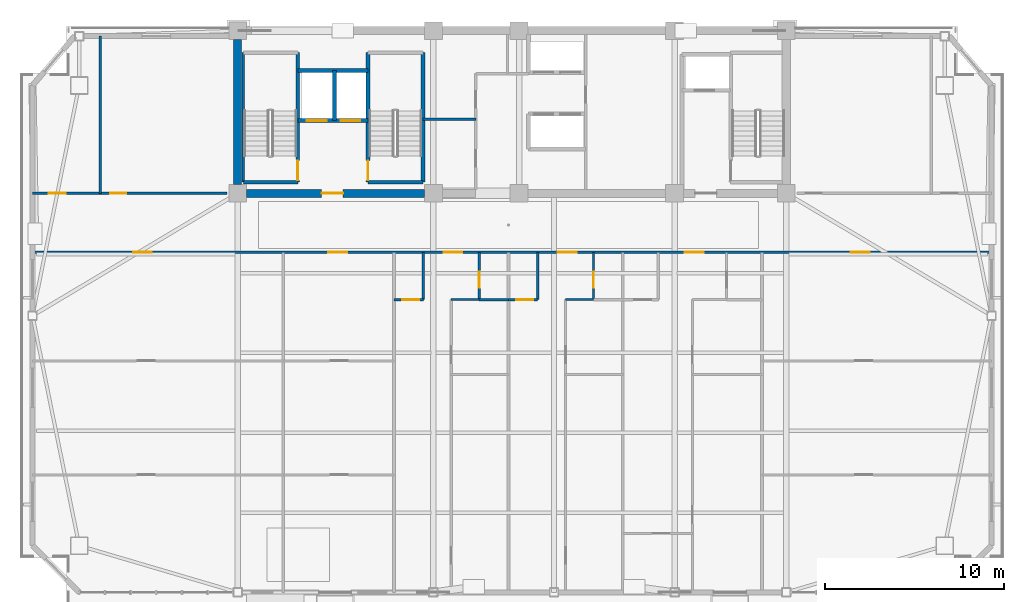
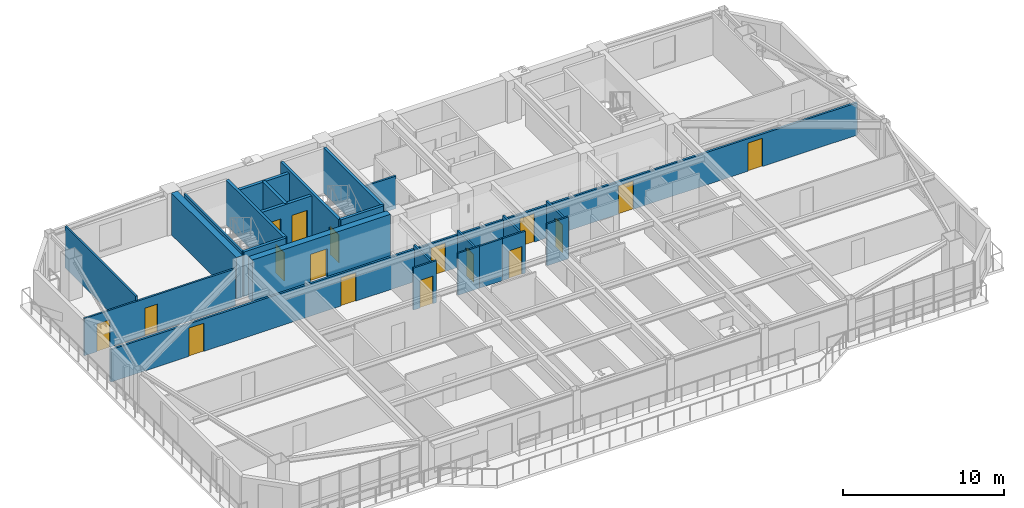
# One storey, part 9 of 17: 24 walls, 17 doors, 17 openings.
"""IFC4 building model written with IfcOpenShell, lengths in metres."""

from ifc_helpers import new_model, si_unit, direction, frame, frame_2d, origin, place, context, subcontext, project, spatial, rectangle, extrude, source, transform, mapped, material, layer, layer_set, type_object, element, fill, save


model = new_model("IFC4")

# Units and contexts
model_context = context("Model", 3, precision=1e-05, world=origin(), true_north=direction((0.0, 1.0)))
body_context = subcontext(model_context, "Body", "Model", "MODEL_VIEW")
ifc_project = project(units=[si_unit("LENGTHUNIT", "METRE"), si_unit("AREAUNIT", "SQUARE_METRE"), si_unit("VOLUMEUNIT", "CUBIC_METRE"), si_unit("PLANEANGLEUNIT", "RADIAN"), si_unit("MASSUNIT", "GRAM", prefix="KILO")], contexts=[model_context])

# Site, building, storey
site_placement = place(None, origin())
site = spatial("IfcSite", under=ifc_project, at=site_placement, CompositionType="ELEMENT")
building_placement = place(site_placement, origin())
building = spatial("IfcBuilding", under=site, at=building_placement, Name="Giltprow Tower", CompositionType="ELEMENT")
storey_placement = place(building_placement, frame((0.0, 0.0, 248.5)))
storey = spatial("IfcBuildingStorey", under=building, at=storey_placement, Name="L63", CompositionType="ELEMENT", Elevation=248.5)

# Wall, openings, doors
ifc_material_1 = material(Name="Gypsum stud partition", Category="gypsum")
ifc_layer_1 = layer(ifc_material_1, 0.14990234375, Name="Gypsum stud partition")
ifc_layer_set_1 = layer_set([ifc_layer_1], Name="Gypsum stud partition")
wall_type_1 = type_object("IfcWallType", Name="IW-CORR-150", PredefinedType="PARTITIONING", material=ifc_layer_set_1)
wall_1_placement = place(storey_placement, frame((8.364013671875, 34.14990234375, 0.0), z_axis=(0.0, 0.0, 1.0), x_axis=(1.0, 0.0, 0.0)))
wall_1 = element("IfcWall", 1, at=wall_1_placement, inside=storey, type_object=wall_type_1, Name="L63 Residence Gallery Corridor Wall", PredefinedType="PARTITIONING", context=body_context, shape_type="SweptSolid", body=[
    extrude(rectangle(XDim=53.673095703125, YDim=0.14990234375, at=frame_2d((26.83642578125, 0.0))), origin(), (0.0, 0.0, 1.0), 2.469970703125),
])
opening_1_placement = place(wall_1_placement, frame((5.626953125, 0.0, 0.0)))
opening_1 = element("IfcOpeningElement", 2, at=opening_1_placement, cuts=wall_1, Name="Opening ID31", PredefinedType="OPENING", context=body_context, shape_type="SweptSolid", body=[
    extrude(rectangle(XDim=1.050048828125, YDim=2.14990234375, at=frame_2d((0.52490234375, 1.074951171875))), frame((0.0, 0.0849609375, 0.0), z_axis=(0.0, -1.0, 0.0), x_axis=(1.0, 0.0, 0.0)), (0.0, 0.0, 1.0), 0.169921875),
])
opening_2_placement = place(wall_1_placement, frame((16.56103515625, 0.0, 0.0)))
opening_2 = element("IfcOpeningElement", 3, at=opening_2_placement, cuts=wall_1, Name="Opening ID31", PredefinedType="OPENING", context=body_context, shape_type="SweptSolid", body=[
    extrude(rectangle(XDim=1.050048828125, YDim=2.14990234375, at=frame_2d((0.52490234375, 1.074951171875))), frame((0.0, 0.0849609375, 0.0), z_axis=(0.0, -1.0, 0.0), x_axis=(1.0, 0.0, 0.0)), (0.0, 0.0, 1.0), 0.169921875),
])
opening_3_placement = place(wall_1_placement, frame((23.010986328125, 0.0, 0.0)))
opening_3 = element("IfcOpeningElement", 4, at=opening_3_placement, cuts=wall_1, Name="Opening ID31", PredefinedType="OPENING", context=body_context, shape_type="SweptSolid", body=[
    extrude(rectangle(XDim=1.050048828125, YDim=2.14990234375, at=frame_2d((0.52490234375, 1.074951171875))), frame((0.0, 0.0849609375, 0.0), z_axis=(0.0, -1.0, 0.0), x_axis=(1.0, 0.0, 0.0)), (0.0, 0.0, 1.0), 0.169921875),
])
opening_4_placement = place(wall_1_placement, frame((29.410888671875, 0.0, 0.0)))
opening_4 = element("IfcOpeningElement", 5, at=opening_4_placement, cuts=wall_1, Name="Opening ID31", PredefinedType="OPENING", context=body_context, shape_type="SweptSolid", body=[
    extrude(rectangle(XDim=1.050048828125, YDim=2.14990234375, at=frame_2d((0.52490234375, 1.074951171875))), frame((0.0, 0.0849609375, 0.0), z_axis=(0.0, -1.0, 0.0), x_axis=(1.0, 0.0, 0.0)), (0.0, 0.0, 1.0), 0.169921875),
])
opening_5_placement = place(wall_1_placement, frame((36.510986328125, 0.0, 0.0)))
opening_5 = element("IfcOpeningElement", 6, at=opening_5_placement, cuts=wall_1, Name="Opening ID31", PredefinedType="OPENING", context=body_context, shape_type="SweptSolid", body=[
    extrude(rectangle(XDim=1.050048828125, YDim=2.14990234375, at=frame_2d((0.52490234375, 1.074951171875))), frame((0.0, 0.0849609375, 0.0), z_axis=(0.0, -1.0, 0.0), x_axis=(1.0, 0.0, 0.0)), (0.0, 0.0, 1.0), 0.169921875),
])
opening_6_placement = place(wall_1_placement, frame((45.806884765625, 0.0, 0.0)))
opening_6 = element("IfcOpeningElement", 7, at=opening_6_placement, cuts=wall_1, Name="Opening ID31", PredefinedType="OPENING", context=body_context, shape_type="SweptSolid", body=[
    extrude(rectangle(XDim=1.050048828125, YDim=2.14990234375, at=frame_2d((0.52490234375, 1.074951171875))), frame((0.0, 0.0849609375, 0.0), z_axis=(0.0, -1.0, 0.0), x_axis=(1.0, 0.0, 0.0)), (0.0, 0.0, 1.0), 0.169921875),
])
ifc_material_2 = material(Name="Engineered timber", Category="wood")
door_type_1 = type_object("IfcDoorType", Name="DR-SUITE-1050", OperationType="SINGLE_SWING_LEFT", PredefinedType="DOOR", material=ifc_material_2)
shared_shape_1 = source(origin(), body_context, "Body", "SweptSolid", [
    extrude(rectangle(XDim=1.050048828125, YDim=2.14990234375, at=frame_2d((0.52490234375, 1.074951171875))), frame((0.0, 0.02490234375, 0.0), z_axis=(0.0, -1.0, 0.0), x_axis=(1.0, 0.0, 0.0)), (0.0, 0.0, 1.0), 0.050048828125),
])
door_1_placement = place(opening_1_placement, origin())
door_1 = element("IfcDoor", 8, at=door_1_placement, inside=storey, type_object=door_type_1, Name="L63 Residents Home Office 1 North Door", OperationType="SINGLE_SWING_LEFT", OverallHeight=2.14990234375, OverallWidth=1.050048828125, PredefinedType="DOOR", context=body_context, shape_type="MappedRepresentation", body=[
    mapped(shared_shape_1, transform((0.0, 0.0, 0.0), x_axis=(1.0, 0.0, 0.0), y_axis=(0.0, 1.0, 0.0), z_axis=(0.0, 0.0, 1.0), scale=1.0)),
])
fill(opening_1, door_1)
door_2_placement = place(opening_2_placement, origin())
door_2 = element("IfcDoor", 9, at=door_2_placement, inside=storey, type_object=door_type_1, Name="L63 Legal Study Office 2 North Door", OperationType="SINGLE_SWING_RIGHT", OverallHeight=2.14990234375, OverallWidth=1.050048828125, PredefinedType="DOOR", context=body_context, shape_type="MappedRepresentation", body=[
    mapped(shared_shape_1, transform((0.0, 0.0, 0.0), x_axis=(1.0, 0.0, 0.0), y_axis=(0.0, 1.0, 0.0), z_axis=(0.0, 0.0, 1.0), scale=1.0)),
])
fill(opening_2, door_2)
door_3_placement = place(opening_3_placement, origin())
door_3 = element("IfcDoor", 10, at=door_3_placement, inside=storey, type_object=door_type_1, Name="L63 Unit 1 Entrance Door", OperationType="SINGLE_SWING_LEFT", OverallHeight=2.14990234375, OverallWidth=1.050048828125, PredefinedType="DOOR", context=body_context, shape_type="MappedRepresentation", body=[
    mapped(shared_shape_1, transform((0.0, 0.0, 0.0), x_axis=(1.0, 0.0, 0.0), y_axis=(0.0, 1.0, 0.0), z_axis=(0.0, 0.0, 1.0), scale=1.0)),
])
fill(opening_3, door_3)
door_4_placement = place(opening_4_placement, origin())
door_4 = element("IfcDoor", 11, at=door_4_placement, inside=storey, type_object=door_type_1, Name="L63 Unit 2 Entrance Door", OperationType="SINGLE_SWING_RIGHT", OverallHeight=2.14990234375, OverallWidth=1.050048828125, PredefinedType="DOOR", context=body_context, shape_type="MappedRepresentation", body=[
    mapped(shared_shape_1, transform((0.0, 0.0, 0.0), x_axis=(1.0, 0.0, 0.0), y_axis=(0.0, 1.0, 0.0), z_axis=(0.0, 0.0, 1.0), scale=1.0)),
])
fill(opening_4, door_4)
door_5_placement = place(opening_5_placement, origin())
door_5 = element("IfcDoor", 12, at=door_5_placement, inside=storey, type_object=door_type_1, Name="L63 Unit 3 Entrance Door", OperationType="SINGLE_SWING_LEFT", OverallHeight=2.14990234375, OverallWidth=1.050048828125, PredefinedType="DOOR", context=body_context, shape_type="MappedRepresentation", body=[
    mapped(shared_shape_1, transform((0.0, 0.0, 0.0), x_axis=(1.0, 0.0, 0.0), y_axis=(0.0, 1.0, 0.0), z_axis=(0.0, 0.0, 1.0), scale=1.0)),
])
fill(opening_5, door_5)
door_6_placement = place(opening_6_placement, origin())
door_6 = element("IfcDoor", 13, at=door_6_placement, inside=storey, type_object=door_type_1, Name="L63 Portfolio Office 3 North Door", OperationType="SINGLE_SWING_LEFT", OverallHeight=2.14990234375, OverallWidth=1.050048828125, PredefinedType="DOOR", context=body_context, shape_type="MappedRepresentation", body=[
    mapped(shared_shape_1, transform((0.0, 0.0, 0.0), x_axis=(1.0, 0.0, 0.0), y_axis=(0.0, 1.0, 0.0), z_axis=(0.0, 0.0, 1.0), scale=1.0)),
])
fill(opening_6, door_6)

# Walls
ifc_layer_2 = layer(ifc_material_1, 0.1201171875, Name="Gypsum stud partition")
ifc_layer_set_2 = layer_set([ifc_layer_2], Name="Gypsum stud partition")
wall_type_2 = type_object("IfcWallType", Name="IW-ROOM-120", PredefinedType="PARTITIONING", material=ifc_layer_set_2)
for number, where, z_axis, x_axis, name in (
    (14, (31.800048828125, 31.5, 0.0), (0.0, 0.0, 1.0), (1.0, 0.0, 0.0), "L63 Unit 1 Bedroom North Wall"),
    (15, (38.199951171875, 31.5, 0.0), (0.0, 0.0, 1.0), (1.0, 0.0, 0.0), "L63 Unit 2 Bedroom North Wall"),
):
    element("IfcWall", number, at=place(storey_placement, frame(where, z_axis=z_axis, x_axis=x_axis)), inside=storey, type_object=wall_type_2, Name=name, PredefinedType="PARTITIONING", context=body_context, shape_type="SweptSolid", body=[
        extrude(rectangle(XDim=1.56005859375, YDim=0.1201171875, at=frame_2d((0.780029296875, 0.0))), origin(), (0.0, 0.0, 1.0), 3.18505859375),
    ])

# Wall, openings, doors
ifc_material_3 = material(Name="Concrete C40", Category="concrete")
ifc_layer_3 = layer(ifc_material_3, 0.219970703125, Name="Concrete C40")
ifc_layer_set_3 = layer_set([ifc_layer_3], Name="Concrete C40")
wall_type_3 = type_object("IfcWallType", Name="IW-SHAFT-220", PredefinedType="SOLIDWALL", material=ifc_layer_set_3)
wall_2_placement = place(storey_placement, frame((23.219970703125, 41.52001953125, 0.0), z_axis=(0.0, 0.0, 1.0), x_axis=(1.0, 0.0, 0.0)))
wall_2 = element("IfcWall", 16, at=wall_2_placement, inside=storey, type_object=wall_type_3, Name="L63 FFL1 and Service Lift Front Wall", PredefinedType="SOLIDWALL", context=body_context, shape_type="SweptSolid", body=[
    extrude(rectangle(XDim=3.919921875, YDim=0.219970703125, at=frame_2d((1.9599609375, 0.0))), origin(), (0.0, 0.0, 1.0), 3.18505859375),
])
opening_7_placement = place(wall_2_placement, frame((0.5, 0.0, 0.0)))
opening_7 = element("IfcOpeningElement", 17, at=opening_7_placement, cuts=wall_2, Name="Opening LD-11", PredefinedType="OPENING", context=body_context, shape_type="SweptSolid", body=[
    extrude(rectangle(XDim=1.10009765625, YDim=2.199951171875, at=frame_2d((0.550048828125, 1.10009765625))), frame((0.0, 0.119873046875, 0.0), z_axis=(0.0, -1.0, 0.0), x_axis=(1.0, 0.0, 0.0)), (0.0, 0.0, 1.0), 0.239990234375),
])
opening_8_placement = place(wall_2_placement, frame((2.39990234375, 0.0, 0.0)))
opening_8 = element("IfcOpeningElement", 18, at=opening_8_placement, cuts=wall_2, Name="Opening LD-11", PredefinedType="OPENING", context=body_context, shape_type="SweptSolid", body=[
    extrude(rectangle(XDim=1.10009765625, YDim=2.199951171875, at=frame_2d((0.550048828125, 1.10009765625))), frame((0.0, 0.119873046875, 0.0), z_axis=(0.0, -1.0, 0.0), x_axis=(1.0, 0.0, 0.0)), (0.0, 0.0, 1.0), 0.239990234375),
])
ifc_material_4 = material(Name="Stainless steel", Category="steel")
door_type_2 = type_object("IfcDoorType", Name="DR-LIFT-LD1100", OperationType="SLIDING_TO_LEFT", PredefinedType="DOOR", material=ifc_material_4)
shared_shape_2 = source(origin(), body_context, "Body", "SweptSolid", [
    extrude(rectangle(XDim=1.10009765625, YDim=2.199951171875, at=frame_2d((0.550048828125, 1.10009765625))), frame((0.0, 0.02490234375, 0.0), z_axis=(0.0, -1.0, 0.0), x_axis=(1.0, 0.0, 0.0)), (0.0, 0.0, 1.0), 0.050048828125),
])
door_7_placement = place(opening_7_placement, origin())
door_7 = element("IfcDoor", 19, at=door_7_placement, inside=storey, type_object=door_type_2, Name="L63 FFL1 Landing Door", OperationType="SLIDING_TO_LEFT", OverallHeight=2.199951171875, OverallWidth=1.10009765625, PredefinedType="DOOR", context=body_context, shape_type="MappedRepresentation", body=[
    mapped(shared_shape_2, transform((0.0, 0.0, 0.0), x_axis=(1.0, 0.0, 0.0), y_axis=(0.0, 1.0, 0.0), z_axis=(0.0, 0.0, 1.0), scale=1.0)),
])
fill(opening_7, door_7)
door_8_placement = place(opening_8_placement, origin())
door_8 = element("IfcDoor", 20, at=door_8_placement, inside=storey, type_object=door_type_2, Name="L63 SVL1 Landing Door", OperationType="SLIDING_TO_LEFT", OverallHeight=2.199951171875, OverallWidth=1.10009765625, PredefinedType="DOOR", context=body_context, shape_type="MappedRepresentation", body=[
    mapped(shared_shape_2, transform((0.0, 0.0, 0.0), x_axis=(1.0, 0.0, 0.0), y_axis=(0.0, 1.0, 0.0), z_axis=(0.0, 0.0, 1.0), scale=1.0)),
])
fill(opening_8, door_8)

# Walls
wall_3_placement = place(storey_placement, frame((25.260009765625, 41.52001953125, 0.0), z_axis=(0.0, 0.0, 1.0), x_axis=(0.0, 1.0, 0.0)))
element("IfcWall", 21, at=wall_3_placement, inside=storey, type_object=wall_type_3, Name="L63 FFL1-SVL1 Shaft Divider", PredefinedType="SOLIDWALL", context=body_context, shape_type="SweptSolid", body=[
    extrude(rectangle(XDim=2.800048828125, YDim=0.219970703125, at=frame_2d((1.39990234375, 0.0))), origin(), (0.0, 0.0, 1.0), 3.18505859375),
])
wall_4_placement = place(storey_placement, frame((23.219970703125, 44.320068359375, 0.0), z_axis=(0.0, 0.0, 1.0), x_axis=(1.0, 0.0, 0.0)))
element("IfcWall", 22, at=wall_4_placement, inside=storey, type_object=wall_type_3, Name="L63 FFL1-SVL1 Back Shaft Wall", PredefinedType="SOLIDWALL", context=body_context, shape_type="SweptSolid", body=[
    extrude(rectangle(XDim=3.919921875, YDim=0.219970703125, at=frame_2d((1.9599609375, 0.0))), origin(), (0.0, 0.0, 1.0), 3.18505859375),
])
ifc_material_5 = material(Name="Concrete C45", Category="concrete")
ifc_layer_4 = layer(ifc_material_5, 0.139892578125, Name="Concrete C45")
ifc_layer_set_4 = layer_set([ifc_layer_4], Name="Concrete C45")
wall_type_4 = type_object("IfcWallType", Name="IW-STAIR-140", PredefinedType="SOLIDWALL", material=ifc_layer_set_4)
wall_5_placement = place(storey_placement, frame((20.169921875, 38.070068359375, 0.0), z_axis=(0.0, 0.0, 1.0), x_axis=(0.0, 1.0, 0.0)))
element("IfcWall", 23, at=wall_5_placement, inside=storey, type_object=wall_type_4, Name="L63 Stair ST-1 West Bearing Wall", PredefinedType="SOLIDWALL", context=body_context, shape_type="SweptSolid", body=[
    extrude(rectangle(XDim=7.25, YDim=0.139892578125, at=frame_2d((3.625, 0.0))), origin(), (0.0, 0.0, 1.0), 3.39990234375),
])

# Wall, opening, door
ifc_layer_5 = layer(ifc_material_3, 0.199951171875, Name="Concrete C40")
ifc_layer_set_5 = layer_set([ifc_layer_5], Name="Concrete C40")
wall_type_5 = type_object("IfcWallType", Name="IW-STAIR-200", PredefinedType="SOLIDWALL", material=ifc_layer_set_5)
wall_6_placement = place(storey_placement, frame((23.219970703125, 38.070068359375, 0.0), z_axis=(0.0, 0.0, 1.0), x_axis=(0.0, 1.0, 0.0)))
wall_6 = element("IfcWall", 24, at=wall_6_placement, inside=storey, type_object=wall_type_5, Name="L63 Stair ST-1 East Bearing Wall", PredefinedType="SOLIDWALL", context=body_context, shape_type="SweptSolid", body=[
    extrude(rectangle(XDim=7.25, YDim=0.199951171875, at=frame_2d((3.625, 0.0))), origin(), (0.0, 0.0, 1.0), 3.39990234375),
])
opening_9_placement = place(wall_6_placement, frame((0.110107421875, 0.0, 0.0)))
opening_9 = element("IfcOpeningElement", 25, at=opening_9_placement, cuts=wall_6, Name="Opening ID33", PredefinedType="OPENING", context=body_context, shape_type="SweptSolid", body=[
    extrude(rectangle(XDim=1.10009765625, YDim=2.14990234375, at=frame_2d((0.550048828125, 1.074951171875))), frame((0.0, 0.10986328125, 0.0), z_axis=(0.0, -1.0, 0.0), x_axis=(1.0, 0.0, 0.0)), (0.0, 0.0, 1.0), 0.219970703125),
])
ifc_material_6 = material(Name="Steel fire leaf", Category="steel")
door_type_3 = type_object("IfcDoorType", Name="DR-STAIR-1100", OperationType="SINGLE_SWING_LEFT", PredefinedType="DOOR", material=ifc_material_6)
shared_shape_3 = source(origin(), body_context, "Body", "SweptSolid", [
    extrude(rectangle(XDim=1.10009765625, YDim=2.14990234375, at=frame_2d((0.550048828125, 1.074951171875))), frame((0.0, 0.02490234375, 0.0), z_axis=(0.0, -1.0, 0.0), x_axis=(1.0, 0.0, 0.0)), (0.0, 0.0, 1.0), 0.050048828125),
])
door_9_placement = place(opening_9_placement, origin())
door_9 = element("IfcDoor", 26, at=door_9_placement, inside=storey, type_object=door_type_3, Name="L63 Stair ST-1 Fire Door", OperationType="SINGLE_SWING_LEFT", OverallHeight=2.14990234375, OverallWidth=1.10009765625, PredefinedType="DOOR", context=body_context, shape_type="MappedRepresentation", body=[
    mapped(shared_shape_3, transform((0.0, 0.0, 0.0), x_axis=(1.0, 0.0, 0.0), y_axis=(0.0, 1.0, 0.0), z_axis=(0.0, 0.0, 1.0), scale=1.0)),
])
fill(opening_9, door_9)

# Wall
wall_7_placement = place(storey_placement, frame((20.169921875, 38.070068359375, 0.0), z_axis=(0.0, 0.0, 1.0), x_axis=(1.0, 0.0, 0.0)))
element("IfcWall", 27, at=wall_7_placement, inside=storey, type_object=wall_type_5, Name="L63 Stair ST-1 South Bearing Wall", PredefinedType="SOLIDWALL", context=body_context, shape_type="SweptSolid", body=[
    extrude(rectangle(XDim=3.050048828125, YDim=0.199951171875, at=frame_2d((1.52490234375, 0.0))), origin(), (0.0, 0.0, 1.0), 3.39990234375),
])

# Wall, opening, door
wall_8_placement = place(storey_placement, frame((27.139892578125, 38.070068359375, 0.0), z_axis=(0.0, 0.0, 1.0), x_axis=(0.0, 1.0, 0.0)))
wall_8 = element("IfcWall", 28, at=wall_8_placement, inside=storey, type_object=wall_type_5, Name="L63 Stair ST-2 West Bearing Wall", PredefinedType="SOLIDWALL", context=body_context, shape_type="SweptSolid", body=[
    extrude(rectangle(XDim=7.25, YDim=0.199951171875, at=frame_2d((3.625, 0.0))), origin(), (0.0, 0.0, 1.0), 3.39990234375),
])
opening_10_placement = place(wall_8_placement, frame((0.110107421875, 0.0, 0.0)))
opening_10 = element("IfcOpeningElement", 29, at=opening_10_placement, cuts=wall_8, Name="Opening ID33", PredefinedType="OPENING", context=body_context, shape_type="SweptSolid", body=[
    extrude(rectangle(XDim=1.10009765625, YDim=2.14990234375, at=frame_2d((0.550048828125, 1.074951171875))), frame((0.0, 0.10986328125, 0.0), z_axis=(0.0, -1.0, 0.0), x_axis=(1.0, 0.0, 0.0)), (0.0, 0.0, 1.0), 0.219970703125),
])
door_10_placement = place(opening_10_placement, origin())
door_10 = element("IfcDoor", 30, at=door_10_placement, inside=storey, type_object=door_type_3, Name="L63 Stair ST-2 Fire Door", OperationType="SINGLE_SWING_RIGHT", OverallHeight=2.14990234375, OverallWidth=1.10009765625, PredefinedType="DOOR", context=body_context, shape_type="MappedRepresentation", body=[
    mapped(shared_shape_3, transform((0.0, 0.0, 0.0), x_axis=(1.0, 0.0, 0.0), y_axis=(0.0, 1.0, 0.0), z_axis=(0.0, 0.0, 1.0), scale=1.0)),
])
fill(opening_10, door_10)

# Walls
wall_9_placement = place(storey_placement, frame((30.219970703125, 38.070068359375, 0.0), z_axis=(0.0, 0.0, 1.0), x_axis=(0.0, 1.0, 0.0)))
element("IfcWall", 31, at=wall_9_placement, inside=storey, type_object=wall_type_5, Name="L63 Stair ST-2 East Bearing Wall", PredefinedType="SOLIDWALL", context=body_context, shape_type="SweptSolid", body=[
    extrude(rectangle(XDim=7.25, YDim=0.199951171875, at=frame_2d((3.625, 0.0))), origin(), (0.0, 0.0, 1.0), 3.39990234375),
])
wall_10_placement = place(storey_placement, frame((27.139892578125, 38.070068359375, 0.0), z_axis=(0.0, 0.0, 1.0), x_axis=(1.0, 0.0, 0.0)))
element("IfcWall", 32, at=wall_10_placement, inside=storey, type_object=wall_type_5, Name="L63 Stair ST-2 South Bearing Wall", PredefinedType="SOLIDWALL", context=body_context, shape_type="SweptSolid", body=[
    extrude(rectangle(XDim=3.080078125, YDim=0.199951171875, at=frame_2d((1.5400390625, 0.0))), origin(), (0.0, 0.0, 1.0), 3.39990234375),
])
ifc_material_7 = material(Name="Concrete C30", Category="concrete")
ifc_layer_6 = layer(ifc_material_7, 0.1298828125, Name="Concrete C30")
ifc_layer_set_6 = layer_set([ifc_layer_6], Name="Concrete C30")
wall_type_6 = type_object("IfcWallType", Name="IW-WET-130", PredefinedType="PARTITIONING", material=ifc_layer_set_6)
wall_11_placement = place(storey_placement, frame((30.219970703125, 41.60009765625, 0.0), z_axis=(0.0, 0.0, 1.0), x_axis=(1.0, 0.0, 0.0)))
element("IfcWall", 33, at=wall_11_placement, inside=storey, type_object=wall_type_6, Name="L63 West Core Split", PredefinedType="PARTITIONING", context=body_context, shape_type="SweptSolid", body=[
    extrude(rectangle(XDim=2.9599609375, YDim=0.1298828125, at=frame_2d((1.47998046875, 0.0))), origin(), (0.0, 0.0, 1.0), 2.469970703125),
])

# Wall, opening, door
wall_12_placement = place(storey_placement, frame((28.60009765625, 31.5, 0.0), z_axis=(0.0, 0.0, 1.0), x_axis=(1.0, 0.0, 0.0)))
wall_12 = element("IfcWall", 34, at=wall_12_placement, inside=storey, type_object=wall_type_6, Name="L63 Unit 1 Kitchen South Wall", PredefinedType="PARTITIONING", context=body_context, shape_type="SweptSolid", body=[
    extrude(rectangle(XDim=1.639892578125, YDim=0.1298828125, at=frame_2d((0.81982421875, 0.0))), origin(), (0.0, 0.0, 1.0), 3.18505859375),
])
opening_11_placement = place(wall_12_placement, frame((0.449951171875, 0.0, 0.0)))
opening_11 = element("IfcOpeningElement", 35, at=opening_11_placement, cuts=wall_12, Name="Opening ID11", PredefinedType="OPENING", context=body_context, shape_type="SweptSolid", body=[
    extrude(rectangle(XDim=0.949951171875, YDim=2.10009765625, at=frame_2d((0.47509765625, 1.050048828125))), frame((0.0, 0.074951171875, 0.0), z_axis=(0.0, -1.0, 0.0), x_axis=(1.0, 0.0, 0.0)), (0.0, 0.0, 1.0), 0.14990234375),
])
door_type_4 = type_object("IfcDoorType", Name="DR-ROOM-950", OperationType="SINGLE_SWING_RIGHT", PredefinedType="DOOR", material=ifc_material_2)
shared_shape_4 = source(origin(), body_context, "Body", "SweptSolid", [
    extrude(rectangle(XDim=0.949951171875, YDim=2.10009765625, at=frame_2d((0.47509765625, 1.050048828125))), frame((0.0, 0.02490234375, 0.0), z_axis=(0.0, -1.0, 0.0), x_axis=(1.0, 0.0, 0.0)), (0.0, 0.0, 1.0), 0.050048828125),
])
door_11_placement = place(opening_11_placement, origin())
door_11 = element("IfcDoor", 36, at=door_11_placement, inside=storey, type_object=door_type_4, Name="L63 Unit 1 Kitchen Door", OperationType="SINGLE_SWING_RIGHT", OverallHeight=2.10009765625, OverallWidth=0.949951171875, PredefinedType="DOOR", context=body_context, shape_type="MappedRepresentation", body=[
    mapped(shared_shape_4, transform((0.0, 0.0, 0.0), x_axis=(1.0, 0.0, 0.0), y_axis=(0.0, 1.0, 0.0), z_axis=(0.0, 0.0, 1.0), scale=1.0)),
])
fill(opening_11, door_11)

# Walls
wall_13_placement = place(storey_placement, frame((30.239990234375, 31.5, 0.0), z_axis=(0.0, 0.0, 1.0), x_axis=(0.0, 1.0, 0.0)))
element("IfcWall", 37, at=wall_13_placement, inside=storey, type_object=wall_type_6, Name="L63 Unit 1 Kitchen East Wall", PredefinedType="PARTITIONING", context=body_context, shape_type="SweptSolid", body=[
    extrude(rectangle(XDim=2.64990234375, YDim=0.1298828125, at=frame_2d((1.324951171875, 0.0))), origin(), (0.0, 0.0, 1.0), 2.77001953125),
])
wall_14_placement = place(storey_placement, frame((33.360107421875, 31.5, 0.0), z_axis=(0.0, 0.0, 1.0), x_axis=(1.0, 0.0, 0.0)))
element("IfcWall", 38, at=wall_14_placement, inside=storey, type_object=wall_type_6, Name="L63 Unit 1 Bathroom South Wall", PredefinedType="PARTITIONING", context=body_context, shape_type="SweptSolid", body=[
    extrude(rectangle(XDim=1.639892578125, YDim=0.1298828125, at=frame_2d((0.81982421875, 0.0))), origin(), (0.0, 0.0, 1.0), 3.18505859375),
])

# Wall, opening, door
wall_15_placement = place(storey_placement, frame((33.360107421875, 31.5, 0.0), z_axis=(0.0, 0.0, 1.0), x_axis=(0.0, 1.0, 0.0)))
wall_15 = element("IfcWall", 39, at=wall_15_placement, inside=storey, type_object=wall_type_6, Name="L63 Unit 1 Bathroom West Wall", PredefinedType="PARTITIONING", context=body_context, shape_type="SweptSolid", body=[
    extrude(rectangle(XDim=2.64990234375, YDim=0.1298828125, at=frame_2d((1.324951171875, 0.0))), origin(), (0.0, 0.0, 1.0), 2.77001953125),
])
opening_12_placement = place(wall_15_placement, frame((0.669921875, 0.0, 0.0)))
opening_12 = element("IfcOpeningElement", 40, at=opening_12_placement, cuts=wall_15, Name="Opening ID15", PredefinedType="OPENING", context=body_context, shape_type="SweptSolid", body=[
    extrude(rectangle(XDim=0.89990234375, YDim=2.10009765625, at=frame_2d((0.449951171875, 1.050048828125))), frame((0.0, 0.074951171875, 0.0), z_axis=(0.0, -1.0, 0.0), x_axis=(1.0, 0.0, 0.0)), (0.0, 0.0, 1.0), 0.14990234375),
])
door_type_5 = type_object("IfcDoorType", Name="DR-WC-900", OperationType="SINGLE_SWING_LEFT", PredefinedType="DOOR", material=ifc_material_2)
shared_shape_5 = source(origin(), body_context, "Body", "SweptSolid", [
    extrude(rectangle(XDim=0.89990234375, YDim=2.10009765625, at=frame_2d((0.449951171875, 1.050048828125))), frame((0.0, 0.02490234375, 0.0), z_axis=(0.0, -1.0, 0.0), x_axis=(1.0, 0.0, 0.0)), (0.0, 0.0, 1.0), 0.050048828125),
])
door_12_placement = place(opening_12_placement, origin())
door_12 = element("IfcDoor", 41, at=door_12_placement, inside=storey, type_object=door_type_5, Name="L63 Unit 1 Bathroom Door", OperationType="SINGLE_SWING_LEFT", OverallHeight=2.10009765625, OverallWidth=0.89990234375, PredefinedType="DOOR", context=body_context, shape_type="MappedRepresentation", body=[
    mapped(shared_shape_5, transform((0.0, 0.0, 0.0), x_axis=(1.0, 0.0, 0.0), y_axis=(0.0, 1.0, 0.0), z_axis=(0.0, 0.0, 1.0), scale=1.0)),
])
fill(opening_12, door_12)

wall_16_placement = place(storey_placement, frame((35.0, 31.5, 0.0), z_axis=(0.0, 0.0, 1.0), x_axis=(1.0, 0.0, 0.0)))
wall_16 = element("IfcWall", 42, at=wall_16_placement, inside=storey, type_object=wall_type_6, Name="L63 Unit 2 Kitchen South Wall", PredefinedType="PARTITIONING", context=body_context, shape_type="SweptSolid", body=[
    extrude(rectangle(XDim=1.639892578125, YDim=0.1298828125, at=frame_2d((0.81982421875, 0.0))), origin(), (0.0, 0.0, 1.0), 3.18505859375),
])
opening_13_placement = place(wall_16_placement, frame((0.449951171875, 0.0, 0.0)))
opening_13 = element("IfcOpeningElement", 43, at=opening_13_placement, cuts=wall_16, Name="Opening ID11", PredefinedType="OPENING", context=body_context, shape_type="SweptSolid", body=[
    extrude(rectangle(XDim=0.949951171875, YDim=2.10009765625, at=frame_2d((0.47509765625, 1.050048828125))), frame((0.0, 0.074951171875, 0.0), z_axis=(0.0, -1.0, 0.0), x_axis=(1.0, 0.0, 0.0)), (0.0, 0.0, 1.0), 0.14990234375),
])
door_13_placement = place(opening_13_placement, origin())
door_13 = element("IfcDoor", 44, at=door_13_placement, inside=storey, type_object=door_type_4, Name="L63 Unit 2 Kitchen Door", OperationType="SINGLE_SWING_LEFT", OverallHeight=2.10009765625, OverallWidth=0.949951171875, PredefinedType="DOOR", context=body_context, shape_type="MappedRepresentation", body=[
    mapped(shared_shape_4, transform((0.0, 0.0, 0.0), x_axis=(1.0, 0.0, 0.0), y_axis=(0.0, 1.0, 0.0), z_axis=(0.0, 0.0, 1.0), scale=1.0)),
])
fill(opening_13, door_13)

# Wall
wall_17_placement = place(storey_placement, frame((36.639892578125, 31.5, 0.0), z_axis=(0.0, 0.0, 1.0), x_axis=(0.0, 1.0, 0.0)))
element("IfcWall", 45, at=wall_17_placement, inside=storey, type_object=wall_type_6, Name="L63 Unit 2 Kitchen East Wall", PredefinedType="PARTITIONING", context=body_context, shape_type="SweptSolid", body=[
    extrude(rectangle(XDim=2.64990234375, YDim=0.1298828125, at=frame_2d((1.324951171875, 0.0))), origin(), (0.0, 0.0, 1.0), 2.77001953125),
])

# Wall, opening, door
wall_18_placement = place(storey_placement, frame((39.760009765625, 31.5, 0.0), z_axis=(0.0, 0.0, 1.0), x_axis=(0.0, 1.0, 0.0)))
wall_18 = element("IfcWall", 46, at=wall_18_placement, inside=storey, type_object=wall_type_6, Name="L63 Unit 2 Bathroom West Wall", PredefinedType="PARTITIONING", context=body_context, shape_type="SweptSolid", body=[
    extrude(rectangle(XDim=2.64990234375, YDim=0.1298828125, at=frame_2d((1.324951171875, 0.0))), origin(), (0.0, 0.0, 1.0), 2.77001953125),
])
opening_14_placement = place(wall_18_placement, frame((0.669921875, 0.0, 0.0)))
opening_14 = element("IfcOpeningElement", 47, at=opening_14_placement, cuts=wall_18, Name="Opening ID15", PredefinedType="OPENING", context=body_context, shape_type="SweptSolid", body=[
    extrude(rectangle(XDim=0.89990234375, YDim=2.10009765625, at=frame_2d((0.449951171875, 1.050048828125))), frame((0.0, 0.074951171875, 0.0), z_axis=(0.0, -1.0, 0.0), x_axis=(1.0, 0.0, 0.0)), (0.0, 0.0, 1.0), 0.14990234375),
])
door_14_placement = place(opening_14_placement, origin())
door_14 = element("IfcDoor", 48, at=door_14_placement, inside=storey, type_object=door_type_5, Name="L63 Unit 2 Bathroom Door", OperationType="SINGLE_SWING_RIGHT", OverallHeight=2.10009765625, OverallWidth=0.89990234375, PredefinedType="DOOR", context=body_context, shape_type="MappedRepresentation", body=[
    mapped(shared_shape_5, transform((0.0, 0.0, 0.0), x_axis=(1.0, 0.0, 0.0), y_axis=(0.0, 1.0, 0.0), z_axis=(0.0, 0.0, 1.0), scale=1.0)),
])
fill(opening_14, door_14)

# Wall, openings, doors
wall_19_placement = place(storey_placement, frame((8.364013671875, 37.449951171875, 0.0), z_axis=(0.0, 0.0, 1.0), x_axis=(1.0, 0.0, 0.0)))
wall_19 = element("IfcWall", 49, at=wall_19_placement, inside=storey, type_object=wall_type_6, Name="L63 NW Wing South Wall", PredefinedType="PARTITIONING", context=body_context, shape_type="SweptSolid", body=[
    extrude(rectangle(XDim=10.885986328125, YDim=0.1298828125, at=frame_2d((5.44287109375, 0.0))), origin(), (0.0, 0.0, 1.0), 2.820068359375),
])
opening_15_placement = place(wall_19_placement, frame((0.89990234375, 0.0, 0.0)))
opening_15 = element("IfcOpeningElement", 50, at=opening_15_placement, cuts=wall_19, Name="Opening ID11", PredefinedType="OPENING", context=body_context, shape_type="SweptSolid", body=[
    extrude(rectangle(XDim=0.949951171875, YDim=2.10009765625, at=frame_2d((0.47509765625, 1.050048828125))), frame((0.0, 0.074951171875, 0.0), z_axis=(0.0, -1.0, 0.0), x_axis=(1.0, 0.0, 0.0)), (0.0, 0.0, 1.0), 0.14990234375),
])
opening_16_placement = place(wall_19_placement, frame((4.34912109375, 0.0, 0.0)))
opening_16 = element("IfcOpeningElement", 51, at=opening_16_placement, cuts=wall_19, Name="Opening ID15", PredefinedType="OPENING", context=body_context, shape_type="SweptSolid", body=[
    extrude(rectangle(XDim=0.89990234375, YDim=2.10009765625, at=frame_2d((0.449951171875, 1.050048828125))), frame((0.0, 0.074951171875, 0.0), z_axis=(0.0, -1.0, 0.0), x_axis=(1.0, 0.0, 0.0)), (0.0, 0.0, 1.0), 0.14990234375),
])
door_15_placement = place(opening_16_placement, origin())
door_15 = element("IfcDoor", 52, at=door_15_placement, inside=storey, type_object=door_type_5, Name="L63 NW Washroom Door", OperationType="SINGLE_SWING_LEFT", OverallHeight=2.10009765625, OverallWidth=0.89990234375, PredefinedType="DOOR", context=body_context, shape_type="MappedRepresentation", body=[
    mapped(shared_shape_5, transform((0.0, 0.0, 0.0), x_axis=(1.0, 0.0, 0.0), y_axis=(0.0, 1.0, 0.0), z_axis=(0.0, 0.0, 1.0), scale=1.0)),
])
fill(opening_16, door_15)
door_16_placement = place(opening_15_placement, origin())
door_16 = element("IfcDoor", 53, at=door_16_placement, inside=storey, type_object=door_type_4, Name="L63 Residents Study Office West Door", OperationType="SINGLE_SWING_RIGHT", OverallHeight=2.10009765625, OverallWidth=0.949951171875, PredefinedType="DOOR", context=body_context, shape_type="MappedRepresentation", body=[
    mapped(shared_shape_4, transform((0.0, 0.0, 0.0), x_axis=(1.0, 0.0, 0.0), y_axis=(0.0, 1.0, 0.0), z_axis=(0.0, 0.0, 1.0), scale=1.0)),
])
fill(opening_15, door_16)

# Wall
wall_20_placement = place(storey_placement, frame((12.1630859375, 37.449951171875, 0.0), z_axis=(0.0, 0.0, 1.0), x_axis=(0.0, 1.0, 0.0)))
element("IfcWall", 54, at=wall_20_placement, inside=storey, type_object=wall_type_6, Name="L63 NW Wing Divider", PredefinedType="PARTITIONING", context=body_context, shape_type="SweptSolid", body=[
    extrude(rectangle(XDim=8.800048828125, YDim=0.1298828125, at=frame_2d((4.39990234375, 0.0))), origin(), (0.0, 0.0, 1.0), 3.18505859375),
])

# Wall, opening, door
ifc_material_8 = material(Name="Concrete C50", Category="concrete")
ifc_layer_7 = layer(ifc_material_8, 0.449951171875, Name="Concrete C50")
ifc_layer_set_7 = layer_set([ifc_layer_7], Name="Concrete C50")
wall_type_7 = type_object("IfcWallType", Name="SW-INT-450-C50", PredefinedType="SHEAR", material=ifc_layer_set_7)
wall_21_placement = place(storey_placement, frame((20.35009765625, 37.449951171875, 0.0), z_axis=(0.0, 0.0, 1.0), x_axis=(1.0, 0.0, 0.0)))
wall_21 = element("IfcWall", 55, at=wall_21_placement, inside=storey, type_object=wall_type_7, Name="L63 South Rear Core Shear Wall West", PredefinedType="SHEAR", context=body_context, shape_type="SweptSolid", body=[
    extrude(rectangle(XDim=9.949951171875, YDim=0.449951171875, at=frame_2d((4.97509765625, 0.0))), origin(), (0.0, 0.0, 1.0), 3.18505859375),
])
opening_17_placement = place(wall_21_placement, frame((4.199951171875, 0.0, 0.0)))
opening_17 = element("IfcOpeningElement", 56, at=opening_17_placement, cuts=wall_21, Name="Opening ID19", PredefinedType="OPENING", context=body_context, shape_type="SweptSolid", body=[
    extrude(rectangle(XDim=1.199951171875, YDim=2.14990234375, at=frame_2d((0.60009765625, 1.074951171875))), frame((0.0, 0.23486328125, 0.0), z_axis=(0.0, -1.0, 0.0), x_axis=(1.0, 0.0, 0.0)), (0.0, 0.0, 1.0), 0.469970703125),
])
door_type_6 = type_object("IfcDoorType", Name="DR-FFLOBBY-1200", OperationType="SINGLE_SWING_RIGHT", PredefinedType="DOOR", material=ifc_material_6)
shared_shape_6 = source(origin(), body_context, "Body", "SweptSolid", [
    extrude(rectangle(XDim=1.199951171875, YDim=2.14990234375, at=frame_2d((0.60009765625, 1.074951171875))), frame((0.0, 0.02490234375, 0.0), z_axis=(0.0, -1.0, 0.0), x_axis=(1.0, 0.0, 0.0)), (0.0, 0.0, 1.0), 0.050048828125),
])
door_17_placement = place(opening_17_placement, origin())
door_17 = element("IfcDoor", 57, at=door_17_placement, inside=storey, type_object=door_type_6, Name="L63 West Firefighting Lobby Entry Door", OperationType="SINGLE_SWING_RIGHT", OverallHeight=2.14990234375, OverallWidth=1.199951171875, PredefinedType="DOOR", context=body_context, shape_type="MappedRepresentation", body=[
    mapped(shared_shape_6, transform((0.0, 0.0, 0.0), x_axis=(1.0, 0.0, 0.0), y_axis=(0.0, 1.0, 0.0), z_axis=(0.0, 0.0, 1.0), scale=1.0)),
])
fill(opening_17, door_17)

# Wall
wall_22_placement = place(storey_placement, frame((19.85009765625, 37.949951171875, 0.0), z_axis=(0.0, 0.0, 1.0), x_axis=(0.0, 1.0, 0.0)))
element("IfcWall", 58, at=wall_22_placement, inside=storey, type_object=wall_type_7, Name="L63 W Rear Core Shear Wall", PredefinedType="SHEAR", context=body_context, shape_type="SweptSolid", body=[
    extrude(rectangle(XDim=8.10009765625, YDim=0.449951171875, at=frame_2d((4.050048828125, 0.0))), origin(), (0.0, 0.0, 1.0), 3.18505859375),
])

save(model, "model.ifc")
